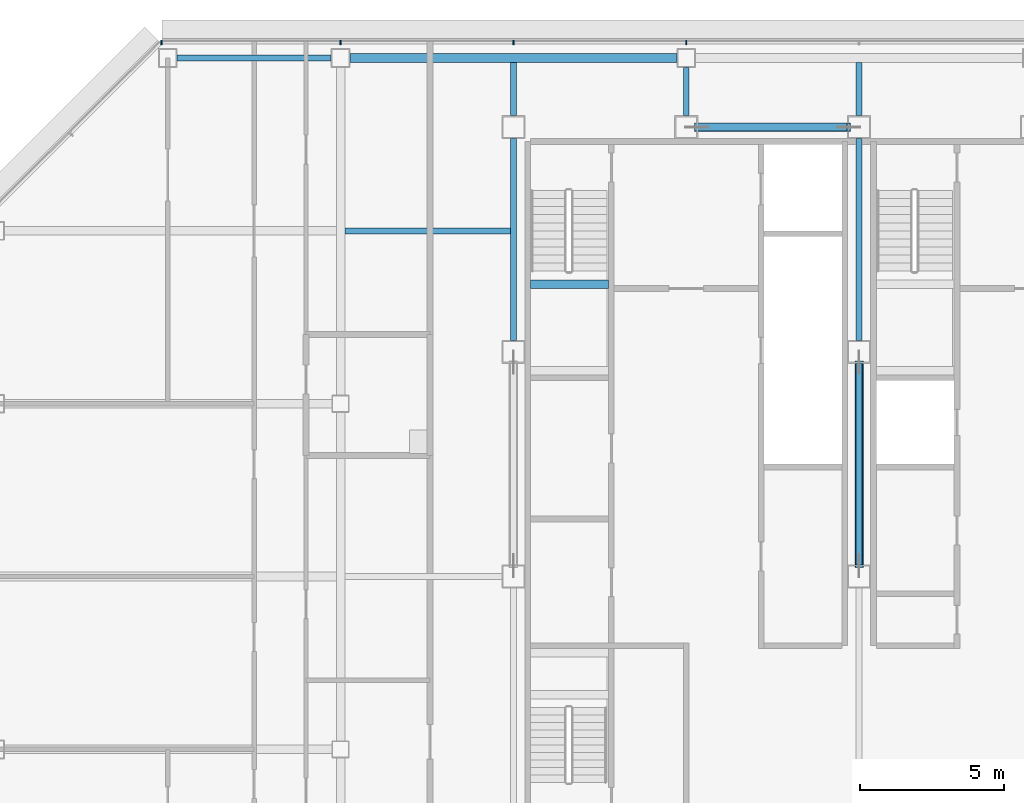
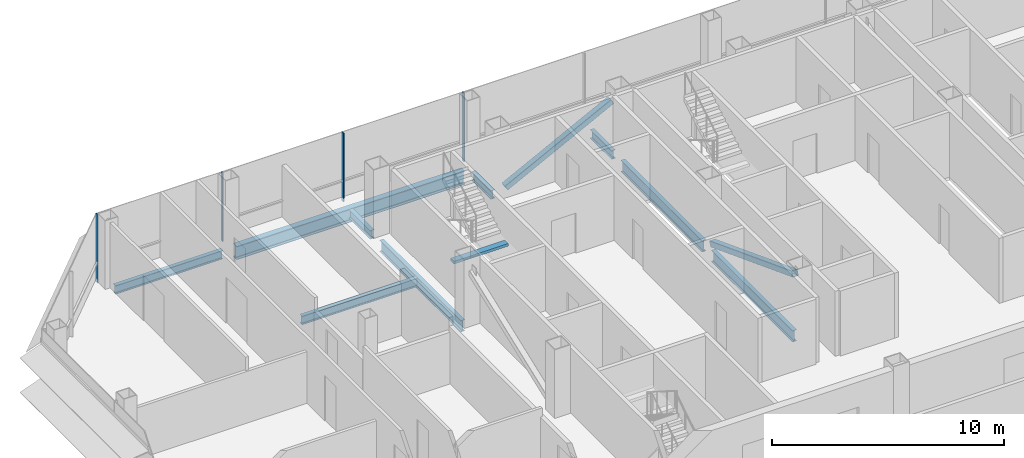
# One storey, part 12 of 26: 10 beams, 6 members, 1 element without a shape of its own.
"""IFC4 building model written with IfcOpenShell, lengths in metres."""

from ifc_helpers import new_model, si_unit, direction, frame, origin, origin_2d, place, context, subcontext, project, spatial, rectangle, hollow_rectangle, i_section, extrude, material, material_profile, profile_set, type_object, element, aggregate, save


model = new_model("IFC4")

# Units and contexts
model_context = context("Model", 3, precision=1e-05, world=origin(), true_north=direction((0.0, 1.0)))
body_context = subcontext(model_context, "Body", "Model", "MODEL_VIEW")
ifc_project = project(units=[si_unit("LENGTHUNIT", "METRE"), si_unit("AREAUNIT", "SQUARE_METRE"), si_unit("VOLUMEUNIT", "CUBIC_METRE"), si_unit("PLANEANGLEUNIT", "RADIAN"), si_unit("MASSUNIT", "GRAM", prefix="KILO")], contexts=[model_context])

# Site, building, storey
site_placement = place(None, origin())
site = spatial("IfcSite", under=ifc_project, at=site_placement, CompositionType="ELEMENT")
building_placement = place(site_placement, origin())
building = spatial("IfcBuilding", under=site, at=building_placement, Name="Sorahane Residences", CompositionType="ELEMENT")
storey_placement = place(building_placement, frame((0.0, 0.0, 222.60009765625)))
storey = spatial("IfcBuildingStorey", under=building, at=storey_placement, Name="L52", CompositionType="ELEMENT", Elevation=222.60009765625)

# Members
ifc_material_1 = material(Name="Steel Q355B", Category="steel")
ifc_material_profile_1 = material_profile(ifc_material_1, hollow_rectangle(XDim=0.300048828125, YDim=0.300048828125, WallThickness=0.01611328125, InnerFilletRadius=0.008056640625, OuterFilletRadius=0.02392578125, at=origin_2d()), Name="RHS 300x300x16")
ifc_profile_set_1 = profile_set([ifc_material_profile_1], Name="Steel Q355B")
member_type_1 = type_object("IfcMemberType", Name="Core brace RHS 300x300x16 Q355B", PredefinedType="BRACE", material=ifc_profile_set_1)
member_1_placement = place(storey_placement, frame((12.35888671875, 45.60009765625, 0.12890625), z_axis=(0.889590046837, 0.0, 0.45675983686), x_axis=(0.0, 1.0, 0.0)))
element("IfcMember", 1, at=member_1_placement, inside=storey, type_object=member_type_1, Name="Core brace L52 y45.6-2", PredefinedType="BRACE", context=body_context, shape_type="SweptSolid", body=[
    extrude(hollow_rectangle(XDim=0.300048828125, YDim=0.300048828125, WallThickness=0.01611328125, InnerFilletRadius=0.008056640625, OuterFilletRadius=0.02392578125, at=origin_2d()), origin(), (0.0, 0.0, 1.0), 5.937744140625),
])
member_2_placement = place(storey_placement, frame((18.0, 37.43212890625, 0.1376953125), z_axis=(0.0, -0.934346475268, 0.35636591329), x_axis=(1.0, 0.0, 0.0)))
element("IfcMember", 2, at=member_2_placement, inside=storey, type_object=member_type_1, Name="Core brace L52 x18-1", PredefinedType="BRACE", context=body_context, shape_type="SweptSolid", body=[
    extrude(hollow_rectangle(XDim=0.300048828125, YDim=0.300048828125, WallThickness=0.01611328125, InnerFilletRadius=0.008056640625, OuterFilletRadius=0.02392578125, at=origin_2d()), origin(), (0.0, 0.0, 1.0), 7.560546875),
])

# Curtain wall, members
ifc_material_2 = material(Name="Dark low-e glass and black anodised aluminium", Category="aluminium")
curtain_wall_type = type_object("IfcCurtainWallType", Name="Curtain wall CW-1 Typical unitised wall", PredefinedType="NOTDEFINED", material=ifc_material_2)
curtain_wall_placement = place(storey_placement, origin())
curtain_wall = element("IfcCurtainWall", 3, at=curtain_wall_placement, inside=storey, type_object=curtain_wall_type, Name="CW-1 curtain wall L52 N1", PredefinedType="NOTDEFINED")
ifc_material_3 = material(Name="Black anodised aluminium", Category="aluminium")
ifc_material_profile_2 = material_profile(ifc_material_3, rectangle(XDim=0.159912109375, YDim=0.050048828125, at=origin_2d()), Name="Curtain wall mullion CW-1 black anodised aluminium 50x160")
ifc_profile_set_2 = profile_set([ifc_material_profile_2], Name="Black anodised aluminium")
member_type_2 = type_object("IfcMemberType", Name="Curtain wall mullion CW-1 black anodised aluminium 50x160", PredefinedType="MULLION", material=ifc_profile_set_2)
member_3_placement = place(storey_placement, frame((12.0, 48.5400390625, -0.18017578125), z_axis=(0.0, 0.0, 1.0), x_axis=(0.0, 1.0, 0.0)))
member_3 = element("IfcMember", 4, at=member_3_placement, type_object=member_type_2, Name="CW-1 mullion L52 N1.7", PredefinedType="MULLION", context=body_context, shape_type="SweptSolid", body=[
    extrude(rectangle(XDim=0.159912109375, YDim=0.050048828125, at=origin_2d()), origin(), (0.0, 0.0, 1.0), 3.60009765625),
])
member_4_placement = place(storey_placement, frame((6.0, 48.5400390625, -0.18017578125), z_axis=(0.0, 0.0, 1.0), x_axis=(0.0, 1.0, 0.0)))
member_4 = element("IfcMember", 5, at=member_4_placement, type_object=member_type_2, Name="CW-1 mullion L52 N1.8", PredefinedType="MULLION", context=body_context, shape_type="SweptSolid", body=[
    extrude(rectangle(XDim=0.159912109375, YDim=0.050048828125, at=origin_2d()), origin(), (0.0, 0.0, 1.0), 3.60009765625),
])
member_5_placement = place(storey_placement, frame((0.0, 48.5400390625, -0.18017578125), z_axis=(0.0, 0.0, 1.0), x_axis=(0.0, 1.0, 0.0)))
member_5 = element("IfcMember", 6, at=member_5_placement, type_object=member_type_2, Name="CW-1 mullion L52 N1.9", PredefinedType="MULLION", context=body_context, shape_type="SweptSolid", body=[
    extrude(rectangle(XDim=0.159912109375, YDim=0.050048828125, at=origin_2d()), origin(), (0.0, 0.0, 1.0), 3.60009765625),
])
member_6_placement = place(storey_placement, frame((-6.2236328125, 48.5400390625, -0.18017578125), z_axis=(0.0, 0.0, 1.0), x_axis=(0.0, 1.0, 0.0)))
member_6 = element("IfcMember", 7, at=member_6_placement, type_object=member_type_2, Name="CW-1 mullion L52 N1.10", PredefinedType="MULLION", context=body_context, shape_type="SweptSolid", body=[
    extrude(rectangle(XDim=0.159912109375, YDim=0.050048828125, at=origin_2d()), origin(), (0.0, 0.0, 1.0), 3.60009765625),
])
aggregate(curtain_wall, [member_3, member_4, member_5, member_6])

# Beams
ifc_material_4 = material(Name="Concrete C40", Category="concrete")
ifc_material_profile_3 = material_profile(ifc_material_4, rectangle(XDim=0.300048828125, YDim=0.139892578125, at=origin_2d()), Name="300x140")
ifc_profile_set_3 = profile_set([ifc_material_profile_3], Name="Concrete C40")
beam_type_1 = type_object("IfcBeamType", Name="RC landing beam 300 x 140 Concrete C40", PredefinedType="BEAM", material=ifc_profile_set_3)
beam_1_placement = place(storey_placement, frame((6.60009765625, 40.14990234375, 1.52978515625), z_axis=(1.0, 0.0, 0.0), x_axis=(0.0, 1.0, 0.0)))
element("IfcBeam", 8, at=beam_1_placement, inside=storey, type_object=beam_type_1, Name="Landing beam", PredefinedType="BEAM", context=body_context, shape_type="SweptSolid", body=[
    extrude(rectangle(XDim=0.300048828125, YDim=0.139892578125, at=origin_2d()), origin(), (0.0, 0.0, 1.0), 2.699951171875),
])
ifc_material_5 = material(Name="Steel Q355B", Category="steel")
ifc_material_profile_4 = material_profile(ifc_material_5, i_section(OverallWidth=0.199951171875, OverallDepth=0.449951171875, WebThickness=0.009033203125, FlangeThickness=0.013916015625, FilletRadius=0.02001953125, at=origin_2d()), Name="HN 450x200x9x14")
ifc_profile_set_4 = profile_set([ifc_material_profile_4], Name="Steel Q355B")
beam_type_2 = type_object("IfcBeamType", Name="Steel floor beam HN 450x200x9x14 Q355B", PredefinedType="BEAM", material=ifc_profile_set_4)
beam_2_placement = place(storey_placement, frame((-5.675048828125, 48.0, -0.405029296875), z_axis=(1.0, 0.0, 0.0), x_axis=(0.0, 1.0, 0.0)))
element("IfcBeam", 9, at=beam_2_placement, inside=storey, type_object=beam_type_2, Name="Beam L52 015", PredefinedType="BEAM", context=body_context, shape_type="SweptSolid", body=[
    extrude(i_section(OverallWidth=0.199951171875, OverallDepth=0.449951171875, WebThickness=0.009033203125, FlangeThickness=0.013916015625, FilletRadius=0.02001953125, at=origin_2d()), origin(), (0.0, 0.0, 1.0), 5.35009765625),
])
beam_3_placement = place(storey_placement, frame((6.0, 46.0, -0.405029296875), z_axis=(0.0, 1.0, 0.0), x_axis=(-1.0, 0.0, 0.0)))
element("IfcBeam", 10, at=beam_3_placement, inside=storey, type_object=beam_type_2, Name="Beam L52 033", PredefinedType="BEAM", context=body_context, shape_type="SweptSolid", body=[
    extrude(i_section(OverallWidth=0.199951171875, OverallDepth=0.449951171875, WebThickness=0.009033203125, FlangeThickness=0.013916015625, FilletRadius=0.02001953125, at=origin_2d()), origin(), (0.0, 0.0, 1.0), 1.85009765625),
])
beam_4_placement = place(storey_placement, frame((12.0, 46.0, -0.405029296875), z_axis=(0.0, 1.0, 0.0), x_axis=(-1.0, 0.0, 0.0)))
element("IfcBeam", 11, at=beam_4_placement, inside=storey, type_object=beam_type_2, Name="Beam L52 035", PredefinedType="BEAM", context=body_context, shape_type="SweptSolid", body=[
    extrude(i_section(OverallWidth=0.199951171875, OverallDepth=0.449951171875, WebThickness=0.009033203125, FlangeThickness=0.013916015625, FilletRadius=0.02001953125, at=origin_2d()), origin(), (0.0, 0.0, 1.0), 1.675048828125),
])
beam_5_placement = place(storey_placement, frame((18.0, 46.0, -0.405029296875), z_axis=(0.0, 1.0, 0.0), x_axis=(-1.0, 0.0, 0.0)))
element("IfcBeam", 12, at=beam_5_placement, inside=storey, type_object=beam_type_2, Name="Beam L52 041", PredefinedType="BEAM", context=body_context, shape_type="SweptSolid", body=[
    extrude(i_section(OverallWidth=0.199951171875, OverallDepth=0.449951171875, WebThickness=0.009033203125, FlangeThickness=0.013916015625, FilletRadius=0.02001953125, at=origin_2d()), origin(), (0.0, 0.0, 1.0), 1.85009765625),
])
beam_6_placement = place(storey_placement, frame((0.14990234375, 42.0, -0.405029296875), z_axis=(1.0, 0.0, 0.0), x_axis=(0.0, 1.0, 0.0)))
element("IfcBeam", 13, at=beam_6_placement, inside=storey, type_object=beam_type_2, Name="Beam L52 090", PredefinedType="BEAM", context=body_context, shape_type="SweptSolid", body=[
    extrude(i_section(OverallWidth=0.199951171875, OverallDepth=0.449951171875, WebThickness=0.009033203125, FlangeThickness=0.013916015625, FilletRadius=0.02001953125, at=origin_2d()), origin(), (0.0, 0.0, 1.0), 5.75),
])
ifc_material_6 = material(Name="Steel Q355B", Category="steel")
ifc_material_profile_5 = material_profile(ifc_material_6, i_section(OverallWidth=0.199951171875, OverallDepth=0.60009765625, WebThickness=0.010986328125, FlangeThickness=0.01708984375, FilletRadius=0.02392578125, at=origin_2d()), Name="HN 600x200x11x17")
ifc_profile_set_5 = profile_set([ifc_material_profile_5], Name="Steel Q355B")
beam_type_3 = type_object("IfcBeamType", Name="Steel floor beam HN 600x200x11x17 Q355B", PredefinedType="BEAM", material=ifc_profile_set_5)
for number, where, z_axis, x_axis, name in (
    (14, (6.0, 38.199951171875, -0.47998046875), (0.0, 1.0, 0.0), (-1.0, 0.0, 0.0), "Beam L52 032"),
    (15, (18.0, 30.39990234375, -0.47998046875), (0.0, 1.0, 0.0), (-1.0, 0.0, 0.0), "Beam L52 039"),
    (16, (18.0, 38.199951171875, -0.47998046875), (0.0, 1.0, 0.0), (-1.0, 0.0, 0.0), "Beam L52 040"),
):
    element("IfcBeam", number, at=place(storey_placement, frame(where, z_axis=z_axis, x_axis=x_axis)), inside=storey, type_object=beam_type_3, Name=name, PredefinedType="BEAM", context=body_context, shape_type="SweptSolid", body=[
        extrude(i_section(OverallWidth=0.199951171875, OverallDepth=0.60009765625, WebThickness=0.010986328125, FlangeThickness=0.01708984375, FilletRadius=0.02392578125, at=origin_2d()), origin(), (0.0, 0.0, 1.0), 7.0),
    ])
ifc_material_7 = material(Name="Steel Q355B", Category="steel")
ifc_material_profile_6 = material_profile(ifc_material_7, i_section(OverallWidth=0.300048828125, OverallDepth=0.699951171875, WebThickness=0.012939453125, FlangeThickness=0.02392578125, FilletRadius=0.028076171875, at=origin_2d()), Name="HN 700x300x13x24")
ifc_profile_set_6 = profile_set([ifc_material_profile_6], Name="Steel Q355B")
beam_type_4 = type_object("IfcBeamType", Name="Steel floor beam HN 700x300x13x24 Q355B", PredefinedType="BEAM", material=ifc_profile_set_6)
beam_7_placement = place(storey_placement, frame((0.324951171875, 48.0, -0.530029296875), z_axis=(1.0, 0.0, 0.0), x_axis=(0.0, 1.0, 0.0)))
element("IfcBeam", 17, at=beam_7_placement, inside=storey, type_object=beam_type_4, Name="Beam L52 016", PredefinedType="BEAM", context=body_context, shape_type="SweptSolid", body=[
    extrude(i_section(OverallWidth=0.300048828125, OverallDepth=0.699951171875, WebThickness=0.012939453125, FlangeThickness=0.02392578125, FilletRadius=0.028076171875, at=origin_2d()), origin(), (0.0, 0.0, 1.0), 11.35009765625),
])

save(model, "model.ifc")
